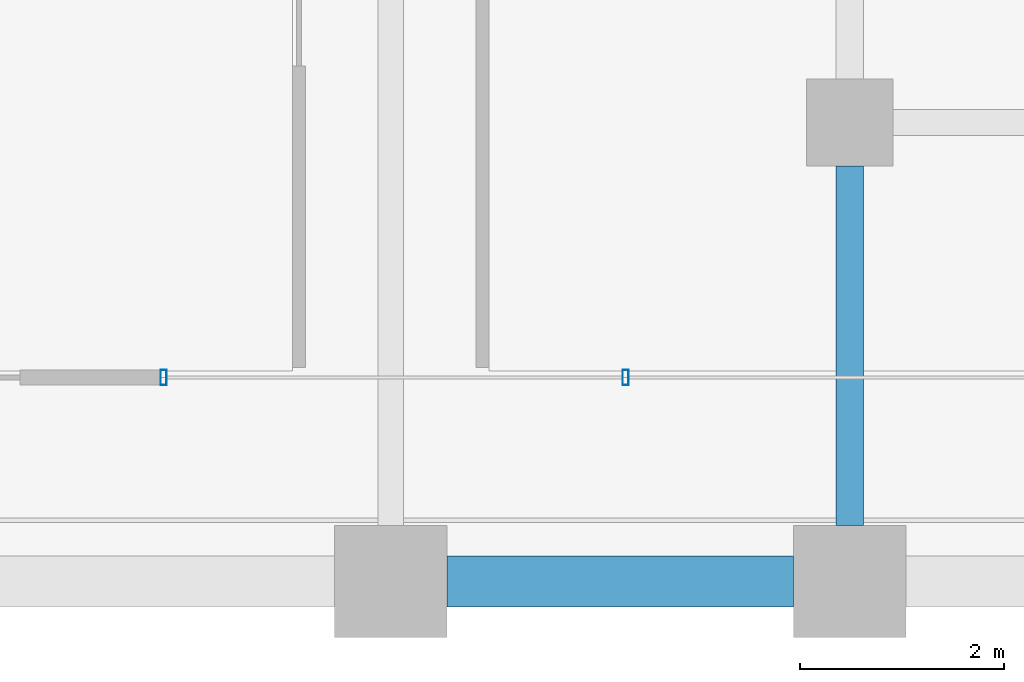
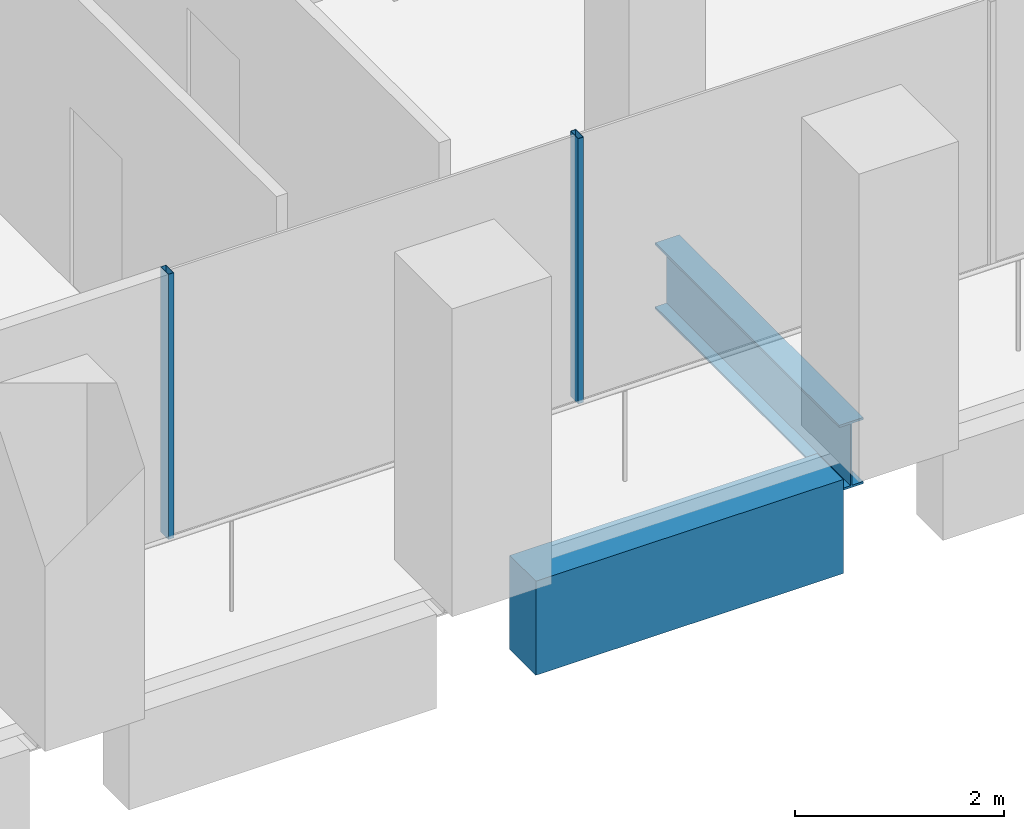
# One storey, part 9 of 56: 2 beams, 2 members, 1 element without a shape of its own.
"""IFC4 building model written with IfcOpenShell, lengths in metres."""

import ifcopenshell
import ifcopenshell.guid

model = None  # the IFC model being written
_history = None  # IfcOwnerHistory: only IFC2X3 demands one
_inside = {}  # id of a spatial element -> (the spatial element, [elements in it])
_under = {}  # id of a project, library or spatial element -> (it, [spatial elements below it])
_declared = {}  # id of a project -> (the project, [libraries it declares])
_typed = {}  # id of a type object -> (the type object, [elements of that type])
_made_of = {}  # id of a material, layer set ... -> (it, [elements and type objects made of it])


def new_model(schema):
    """Start an empty IFC model of exactly this schema.

    Asked for "IFC4X3", IfcOpenShell would pick the latest addendum, in which some entities
    have other attributes; the version numbers below select the first issue.
    IFC2X3 requires an IfcOwnerHistory on every rooted entity: one is made here for all.
    """
    global model, _history
    if schema == "IFC4X3":
        model = ifcopenshell.file(schema_version=(4, 3, 0, 0))
    else:
        model = ifcopenshell.file(schema=schema)
    _inside.clear()
    _under.clear()
    _declared.clear()
    _typed.clear()
    _made_of.clear()
    _history = None
    if model.schema == "IFC2X3":
        org = make("IfcOrganization", Name="unknown")
        user = make(
            "IfcPersonAndOrganization",
            ThePerson=make("IfcPerson", FamilyName="unknown"),
            TheOrganization=org,
        )
        app = make(
            "IfcApplication",
            ApplicationDeveloper=org,
            Version="unknown",
            ApplicationFullName="unknown",
            ApplicationIdentifier="unknown",
        )
        _history = make(
            "IfcOwnerHistory",
            OwningUser=user,
            OwningApplication=app,
            ChangeAction="ADDED",
            CreationDate=0,
        )
    return model


def make(cls, **values):
    """One entity of the class cls with the attributes given. An attribute that is None is left unset."""
    return model.create_entity(
        cls, **{name: value for name, value in values.items() if value is not None}
    )


def rooted(cls, **values):
    """An entity with a GlobalId (a new one), such as an element, a storey or a relation."""
    return make(cls, GlobalId=ifcopenshell.guid.new(), OwnerHistory=_history, **values)


def si_unit(unit_type, name, prefix=None):
    """IfcSIUnit, for example si_unit("LENGTHUNIT", "METRE", prefix="MILLI")."""
    return make("IfcSIUnit", UnitType=unit_type, Prefix=prefix, Name=name)


def assignment(units):
    """IfcUnitAssignment: the units of a project."""
    return None if units is None else make("IfcUnitAssignment", Units=units)


def point(xyz):
    """IfcCartesianPoint."""
    return None if xyz is None else make("IfcCartesianPoint", Coordinates=xyz)


def direction(xyz):
    """IfcDirection."""
    return None if xyz is None else make("IfcDirection", DirectionRatios=xyz)


def frame(location, z_axis=None, x_axis=None):
    """IfcAxis2Placement3D, a coordinate frame: its origin and axes. An axis left out is left unset."""
    return make(
        "IfcAxis2Placement3D",
        Location=point(location),
        Axis=direction(z_axis),
        RefDirection=direction(x_axis),
    )


def frame_2d(location, x_axis=None):
    """IfcAxis2Placement2D, a coordinate frame in the plane: its origin and x axis."""
    return make(
        "IfcAxis2Placement2D", Location=point(location), RefDirection=direction(x_axis)
    )


def origin():
    """The frame at (0, 0, 0) with its axes left unset."""
    return frame((0.0, 0.0, 0.0))


def origin_2d():
    """The frame at (0, 0) in the plane with its x axis left unset."""
    return frame_2d((0.0, 0.0))


def place(relative_to, where):
    """IfcLocalPlacement: puts the frame where relative to a parent placement (None: the world)."""
    return make(
        "IfcLocalPlacement", PlacementRelTo=relative_to, RelativePlacement=where
    )


def context(
    kind, dimensions, precision=None, world=None, true_north=None, identifier=None
):
    """IfcGeometricRepresentationContext, for example the 3D "Model" context."""
    return make(
        "IfcGeometricRepresentationContext",
        ContextIdentifier=identifier,
        ContextType=kind,
        CoordinateSpaceDimension=dimensions,
        Precision=precision,
        WorldCoordinateSystem=world,
        TrueNorth=true_north,
    )


def subcontext(parent, identifier, kind, view, scale=None):
    """IfcGeometricRepresentationSubContext, for example "Body" below "Model"."""
    return make(
        "IfcGeometricRepresentationSubContext",
        ContextIdentifier=identifier,
        ContextType=kind,
        ParentContext=parent,
        TargetScale=scale,
        TargetView=view,
    )


def project(units=None, contexts=None):
    """IfcProject with its units and contexts."""
    return rooted(
        "IfcProject",
        Name="project",
        RepresentationContexts=contexts,
        UnitsInContext=assignment(units),
    )


def spatial(cls, under=None, at=None, **own):
    """A site, building, storey or space (cls), placed at a placement, below another one or the project."""
    s = rooted(cls, ObjectPlacement=at, **own)
    if under is not None:
        _under.setdefault(under.id(), (under, []))[1].append(s)
    return s


def profile(cls, at=None, kind="AREA", **sizes):
    """A parametric profile (cls). Its sizes go by their IFC names, for example OverallWidth=200.0."""
    return make(cls, ProfileType=kind, Position=at, **sizes)


def rectangle(**sizes):
    """IfcRectangleProfileDef."""
    return profile("IfcRectangleProfileDef", **sizes)


def hollow_rectangle(**sizes):
    """IfcRectangleHollowProfileDef."""
    return profile("IfcRectangleHollowProfileDef", **sizes)


def i_section(**sizes):
    """IfcIShapeProfileDef."""
    return profile("IfcIShapeProfileDef", **sizes)


def extrude(swept, where, along, depth):
    """IfcExtrudedAreaSolid: the profile swept, set in the frame where, extruded along a direction by depth."""
    return make(
        "IfcExtrudedAreaSolid",
        SweptArea=swept,
        Position=where,
        ExtrudedDirection=direction(along),
        Depth=depth,
    )


def shape(context_of_items, identifier, shape_type, items):
    """IfcShapeRepresentation: the items that make up one representation, for example the "Body"."""
    return make(
        "IfcShapeRepresentation",
        ContextOfItems=context_of_items,
        RepresentationIdentifier=identifier,
        RepresentationType=shape_type,
        Items=items,
    )


def material(Name=None, Category=None):
    """IfcMaterial."""
    return make("IfcMaterial", Name=Name, Category=Category)


def material_profile(
    of_material, cross_section, Name=None, Category=None, Priority=None
):
    """IfcMaterialProfile: a cross section and its material."""
    return make(
        "IfcMaterialProfile",
        Name=Name,
        Material=of_material,
        Profile=cross_section,
        Priority=Priority,
        Category=Category,
    )


def profile_set(profiles, Name=None, composite=None):
    """IfcMaterialProfileSet."""
    return make(
        "IfcMaterialProfileSet",
        Name=Name,
        MaterialProfiles=profiles,
        CompositeProfile=composite,
    )


def made_of(thing, what):
    """Note that an element or type object is made of a material, layer set ...; save() writes the relation."""
    if what is not None:
        _made_of.setdefault(what.id(), (what, []))[1].append(thing)
    return thing


def type_object(cls, material=None, **own):
    """A type object (cls), such as IfcWallType, which elements share."""
    return made_of(rooted(cls, **own), material)


def element(
    cls,
    number,
    at=None,
    inside=None,
    cuts=None,
    type_object=None,
    material=None,
    context=None,
    identifier="Body",
    shape_type=None,
    held_by="IfcProductDefinitionShape",
    body=None,
    shapes=None,
    **own,
):
    """One element of the class cls, such as IfcWall. Its Tag is "e" and its number.

    at: its placement. inside: the storey or other place that contains it. cuts: it is an
    opening in that element (IfcRelVoidsElement). A single representation is given by context,
    identifier, shape_type and body (its items); several are given by shapes. held_by: the class
    of the entity that holds the representations. save() writes the other relations.
    """
    e = rooted(cls, Tag="e%d" % number, ObjectPlacement=at, **own)
    if body is not None:
        shapes = [shape(context, identifier, shape_type, body)]
    if shapes is not None:
        e.Representation = make(held_by, Representations=shapes)
    if inside is not None:
        _inside.setdefault(inside.id(), (inside, []))[1].append(e)
    if cuts is not None:
        rooted(
            "IfcRelVoidsElement", RelatingBuildingElement=cuts, RelatedOpeningElement=e
        )
    if type_object is not None:
        _typed.setdefault(type_object.id(), (type_object, []))[1].append(e)
    return made_of(e, material)


def aggregate(whole, parts):
    """IfcRelAggregates: a whole, such as a stair, and the parts it consists of."""
    return rooted("IfcRelAggregates", RelatingObject=whole, RelatedObjects=parts)


def save(model, path):
    """Write the relations noted so far, then the file.

    IfcRelAggregates (storeys below a building ...), IfcRelContainedInSpatialStructure (elements
    in a storey), IfcRelDefinesByType, IfcRelAssociatesMaterial and IfcRelDeclares: one each for
    every whole, place, type object, material and project.
    """
    for whole, parts in _under.values():
        aggregate(whole, parts)
    for where, things in _inside.values():
        rooted(
            "IfcRelContainedInSpatialStructure",
            RelatedElements=things,
            RelatingStructure=where,
        )
    for kind, things in _typed.values():
        rooted("IfcRelDefinesByType", RelatedObjects=things, RelatingType=kind)
    for what, things in _made_of.values():
        rooted("IfcRelAssociatesMaterial", RelatedObjects=things, RelatingMaterial=what)
    for by, libraries in _declared.values():
        rooted("IfcRelDeclares", RelatingContext=by, RelatedDefinitions=libraries)
    model.write(path)


model = new_model("IFC4")

# Units and contexts
model_context = context("Model", 3, precision=1e-05, world=origin(), true_north=direction((0.0, 1.0)))
body_context = subcontext(model_context, "Body", "Model", "MODEL_VIEW")
ifc_project = project(units=[si_unit("LENGTHUNIT", "METRE"), si_unit("AREAUNIT", "SQUARE_METRE"), si_unit("VOLUMEUNIT", "CUBIC_METRE"), si_unit("PLANEANGLEUNIT", "RADIAN"), si_unit("MASSUNIT", "GRAM", prefix="KILO")], contexts=[model_context])

# Site, building, storey
site_placement = place(None, origin())
site = spatial("IfcSite", under=ifc_project, at=site_placement, CompositionType="ELEMENT")
building_placement = place(site_placement, origin())
building = spatial("IfcBuilding", under=site, at=building_placement, Name="Altepetl Exchange Towers", CompositionType="ELEMENT")
storey_placement = place(building_placement, frame((0.0, 0.0, 76.199951171875)))
storey = spatial("IfcBuildingStorey", under=building, at=storey_placement, Name="L18", CompositionType="ELEMENT", Elevation=76.199951171875)

# Beam
ifc_material_1 = material(Name="Steel S355", Category="steel")
ifc_material_profile_1 = material_profile(ifc_material_1, i_section(OverallWidth=0.26806640625, OverallDepth=0.77392578125, WebThickness=0.015380859375, FlangeThickness=0.025390625, at=origin_2d()), Name="W30X132")
ifc_profile_set_1 = profile_set([ifc_material_profile_1], Name="Steel S355")
beam_type_1 = type_object("IfcBeamType", Name="Girder W30X132", PredefinedType="BEAM", material=ifc_profile_set_1)
beam_1_placement = place(storey_placement, frame((58.5, 31.074951171875, -0.536865234375), z_axis=(0.0, -1.0, 0.0), x_axis=(1.0, 0.0, 0.0)))
element("IfcBeam", 1, at=beam_1_placement, inside=storey, type_object=beam_type_1, Name="gd:A:L18:008", PredefinedType="BEAM", context=body_context, shape_type="SweptSolid", body=[
    extrude(i_section(OverallWidth=0.26806640625, OverallDepth=0.77392578125, WebThickness=0.015380859375, FlangeThickness=0.025390625, at=origin_2d()), origin(), (0.0, 0.0, 1.0), 3.52490234375),
])

# Curtain wall, members
ifc_material_2 = material(Name="Aluminium 6063-T6 glazing", Category="aluminium")
curtain_wall_type = type_object("IfcCurtainWallType", Name="Loggia glazing system", PredefinedType="NOTDEFINED", material=ifc_material_2)
curtain_wall_placement = place(storey_placement, origin())
curtain_wall = element("IfcCurtainWall", 2, at=curtain_wall_placement, inside=storey, type_object=curtain_wall_type, Name="CW1 run", PredefinedType="NOTDEFINED")
ifc_material_3 = material(Name="Aluminium 6063-T6", Category="aluminium")
ifc_material_profile_2 = material_profile(ifc_material_3, hollow_rectangle(XDim=0.06005859375, YDim=0.14990234375, WallThickness=0.0029296875, at=origin_2d()), Name="Mullion 60x150 aluminium")
ifc_profile_set_2 = profile_set([ifc_material_profile_2], Name="Aluminium 6063-T6")
member_type = type_object("IfcMemberType", Name="Mullion 60x150 aluminium", PredefinedType="MULLION", material=ifc_profile_set_2)
member_1_placement = place(storey_placement, frame((51.77294921875, 29.0, 0.0)))
member_1 = element("IfcMember", 3, at=member_1_placement, type_object=member_type, Name="MU1 mullion", PredefinedType="MULLION", context=body_context, shape_type="SweptSolid", body=[
    extrude(hollow_rectangle(XDim=0.06005859375, YDim=0.14990234375, WallThickness=0.0029296875, at=origin_2d()), origin(), (0.0, 0.0, 1.0), 3.10009765625),
])
member_2_placement = place(storey_placement, frame((56.303466796875, 29.0, 0.0)))
member_2 = element("IfcMember", 4, at=member_2_placement, type_object=member_type, Name="MU1 mullion", PredefinedType="MULLION", context=body_context, shape_type="SweptSolid", body=[
    extrude(hollow_rectangle(XDim=0.06005859375, YDim=0.14990234375, WallThickness=0.0029296875, at=origin_2d()), origin(), (0.0, 0.0, 1.0), 3.10009765625),
])
aggregate(curtain_wall, [member_1, member_2])

# Beam
ifc_material_4 = material(Name="Concrete C50/60 precast with cantera blanca facing", Category="concrete")
ifc_material_profile_3 = material_profile(ifc_material_4, rectangle(XDim=0.5, YDim=1.10009765625, at=origin_2d()), Name="500 x 1100")
ifc_profile_set_3 = profile_set([ifc_material_profile_3], Name="Concrete C50/60 precast with cantera blanca facing")
beam_type_2 = type_object("IfcBeamType", Name="Spandrel beam 500x1100 cantera blanca", PredefinedType="SPANDREL", material=ifc_profile_set_3)
beam_2_placement = place(storey_placement, frame((54.550048828125, 27.0, -0.699951171875), z_axis=(1.0, 0.0, 0.0), x_axis=(0.0, 1.0, 0.0)))
element("IfcBeam", 5, at=beam_2_placement, inside=storey, type_object=beam_type_2, Name="sp:A:L18:005", PredefinedType="SPANDREL", context=body_context, shape_type="SweptSolid", body=[
    extrude(rectangle(XDim=0.5, YDim=1.10009765625, at=origin_2d()), origin(), (0.0, 0.0, 1.0), 3.39990234375),
])

save(model, "model.ifc")
